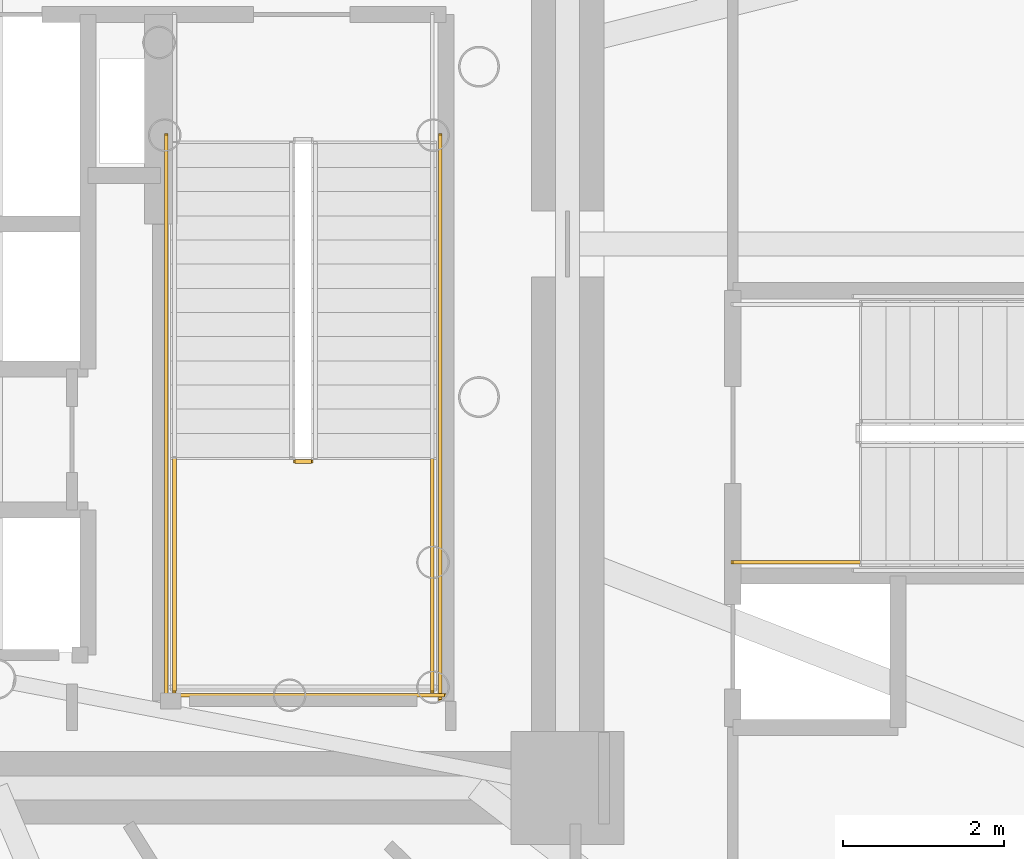
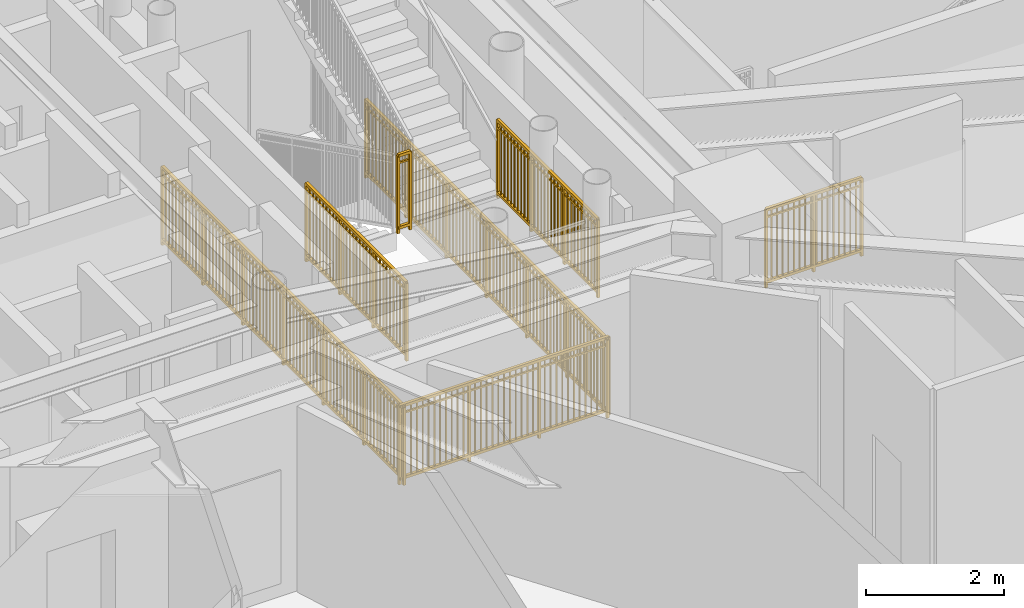
# One storey, part 26 of 31: 7 railings.
"""IFC4 building model written with IfcOpenShell, lengths in metres."""

from ifc_helpers import new_model, si_unit, direction, frame, origin, origin_2d, place, context, subcontext, project, spatial, rectangle, extrude, source, transform, mapped, material, type_object, element, save


model = new_model("IFC4")

# Units and contexts
model_context = context("Model", 3, precision=1e-05, world=origin(), true_north=direction((0.0, 1.0)))
body_context = subcontext(model_context, "Body", "Model", "MODEL_VIEW")
ifc_project = project(units=[si_unit("LENGTHUNIT", "METRE"), si_unit("AREAUNIT", "SQUARE_METRE"), si_unit("VOLUMEUNIT", "CUBIC_METRE"), si_unit("PLANEANGLEUNIT", "RADIAN"), si_unit("MASSUNIT", "GRAM", prefix="KILO")], contexts=[model_context])

# Site, building, storey
site_placement = place(None, origin())
site = spatial("IfcSite", under=ifc_project, at=site_placement, CompositionType="ELEMENT")
building_placement = place(site_placement, origin())
building = spatial("IfcBuilding", under=site, at=building_placement, Name="Linh Dai School and Residence Tower", CompositionType="ELEMENT")
storey_placement = place(building_placement, frame((0.0, 0.0, 6.0)))
storey = spatial("IfcBuildingStorey", under=building, at=storey_placement, Name="L01", CompositionType="ELEMENT", Elevation=6.0)

# Railings
ifc_material = material(Name="Structural Steel S355JR", Category="steel")
railing_type = type_object("IfcRailingType", Name="RL-ST-GUARD-1400", PredefinedType="GUARDRAIL", material=ifc_material)
shared_shape_1 = source(origin(), body_context, "Body", "SweptSolid", [
    extrude(rectangle(XDim=0.048095703125, YDim=0.048095703125, at=origin_2d()), frame((0.0, 0.0, 1.3759765625), z_axis=(1.0, 0.0, 0.0), x_axis=(0.0, 1.0, 0.0)), (0.0, 0.0, 1.0), 0.199951171875),
    extrude(rectangle(XDim=0.048095703125, YDim=0.048095703125, at=origin_2d()), frame((0.0, 0.0, 0.10009765625), z_axis=(1.0, 0.0, 0.0), x_axis=(0.0, 1.0, 0.0)), (0.0, 0.0, 1.0), 0.199951171875),
    extrude(rectangle(XDim=0.030029296875, YDim=0.030029296875, at=origin_2d()), frame((0.0, 0.0, 1.239990234375), z_axis=(1.0, 0.0, 0.0), x_axis=(0.0, 1.0, 0.0)), (0.0, 0.0, 1.0), 0.199951171875),
    extrude(rectangle(XDim=0.0419921875, YDim=0.0419921875, at=origin_2d()), origin(), (0.0, 0.0, 1.0), 1.3759765625),
    extrude(rectangle(XDim=0.0419921875, YDim=0.0419921875, at=origin_2d()), frame((0.199951171875, 0.0, 0.0)), (0.0, 0.0, 1.0), 1.3759765625),
])
railing_1_placement = place(storey_placement, frame((42.570068359375, 24.300048828125, 2.10009765625)))
element("IfcRailing", 1, at=railing_1_placement, inside=storey, type_object=railing_type, Name="L01 ST2 stair guard 2", PredefinedType="GUARDRAIL", context=body_context, shape_type="MappedRepresentation", body=[
    mapped(shared_shape_1, transform((0.0, 0.0, 0.0), x_axis=(1.0, 0.0, 0.0), y_axis=(0.0, 1.0, 0.0), z_axis=(0.0, 0.0, 1.0), scale=1.0)),
])
shared_shape_2 = source(origin(), body_context, "Body", "SweptSolid", [
    extrude(rectangle(XDim=0.048095703125, YDim=0.048095703125, at=origin_2d()), frame((0.0, 0.0, 1.3759765625), z_axis=(0.0, -1.0, 0.0), x_axis=(1.0, 0.0, 0.0)), (0.0, 0.0, 1.0), 7.0),
    extrude(rectangle(XDim=0.048095703125, YDim=0.048095703125, at=origin_2d()), frame((0.0, 0.0, 0.10009765625), z_axis=(0.0, -1.0, 0.0), x_axis=(1.0, 0.0, 0.0)), (0.0, 0.0, 1.0), 7.0),
    extrude(rectangle(XDim=0.030029296875, YDim=0.030029296875, at=origin_2d()), frame((0.0, 0.0, 1.239990234375), z_axis=(0.0, -1.0, 0.0), x_axis=(1.0, 0.0, 0.0)), (0.0, 0.0, 1.0), 7.0),
    extrude(rectangle(XDim=0.02001953125, YDim=0.02001953125, at=origin_2d()), frame((0.0, -0.09716796875, 0.10009765625)), (0.0, 0.0, 1.0), 1.251708984375),
    extrude(rectangle(XDim=0.02001953125, YDim=0.02001953125, at=origin_2d()), frame((0.0, -0.1943359375, 0.10009765625)), (0.0, 0.0, 1.0), 1.251708984375),
    extrude(rectangle(XDim=0.02001953125, YDim=0.02001953125, at=origin_2d()), frame((0.0, -0.291748046875, 0.10009765625)), (0.0, 0.0, 1.0), 1.251708984375),
    extrude(rectangle(XDim=0.02001953125, YDim=0.02001953125, at=origin_2d()), frame((0.0, -0.388916015625, 0.10009765625)), (0.0, 0.0, 1.0), 1.251708984375),
    extrude(rectangle(XDim=0.02001953125, YDim=0.02001953125, at=origin_2d()), frame((0.0, -0.486083984375, 0.10009765625)), (0.0, 0.0, 1.0), 1.251708984375),
    extrude(rectangle(XDim=0.02001953125, YDim=0.02001953125, at=origin_2d()), frame((0.0, -0.583251953125, 0.10009765625)), (0.0, 0.0, 1.0), 1.251708984375),
    extrude(rectangle(XDim=0.02001953125, YDim=0.02001953125, at=origin_2d()), frame((0.0, -0.6806640625, 0.10009765625)), (0.0, 0.0, 1.0), 1.251708984375),
    extrude(rectangle(XDim=0.02001953125, YDim=0.02001953125, at=origin_2d()), frame((0.0, -0.77783203125, 0.10009765625)), (0.0, 0.0, 1.0), 1.251708984375),
    extrude(rectangle(XDim=0.02001953125, YDim=0.02001953125, at=origin_2d()), frame((0.0, -0.875, 0.10009765625)), (0.0, 0.0, 1.0), 1.251708984375),
    extrude(rectangle(XDim=0.02001953125, YDim=0.02001953125, at=origin_2d()), frame((0.0, -0.97216796875, 0.10009765625)), (0.0, 0.0, 1.0), 1.251708984375),
    extrude(rectangle(XDim=0.02001953125, YDim=0.02001953125, at=origin_2d()), frame((0.0, -1.0693359375, 0.10009765625)), (0.0, 0.0, 1.0), 1.251708984375),
    extrude(rectangle(XDim=0.02001953125, YDim=0.02001953125, at=origin_2d()), frame((0.0, -1.263916015625, 0.10009765625)), (0.0, 0.0, 1.0), 1.251708984375),
    extrude(rectangle(XDim=0.02001953125, YDim=0.02001953125, at=origin_2d()), frame((0.0, -1.361083984375, 0.10009765625)), (0.0, 0.0, 1.0), 1.251708984375),
    extrude(rectangle(XDim=0.02001953125, YDim=0.02001953125, at=origin_2d()), frame((0.0, -1.458251953125, 0.10009765625)), (0.0, 0.0, 1.0), 1.251708984375),
    extrude(rectangle(XDim=0.02001953125, YDim=0.02001953125, at=origin_2d()), frame((0.0, -1.5556640625, 0.10009765625)), (0.0, 0.0, 1.0), 1.251708984375),
    extrude(rectangle(XDim=0.02001953125, YDim=0.02001953125, at=origin_2d()), frame((0.0, -1.65283203125, 0.10009765625)), (0.0, 0.0, 1.0), 1.251708984375),
    extrude(rectangle(XDim=0.02001953125, YDim=0.02001953125, at=origin_2d()), frame((0.0, -1.75, 0.10009765625)), (0.0, 0.0, 1.0), 1.251708984375),
    extrude(rectangle(XDim=0.02001953125, YDim=0.02001953125, at=origin_2d()), frame((0.0, -1.84716796875, 0.10009765625)), (0.0, 0.0, 1.0), 1.251708984375),
    extrude(rectangle(XDim=0.02001953125, YDim=0.02001953125, at=origin_2d()), frame((0.0, -1.9443359375, 0.10009765625)), (0.0, 0.0, 1.0), 1.251708984375),
    extrude(rectangle(XDim=0.02001953125, YDim=0.02001953125, at=origin_2d()), frame((0.0, -2.041748046875, 0.10009765625)), (0.0, 0.0, 1.0), 1.251708984375),
    extrude(rectangle(XDim=0.02001953125, YDim=0.02001953125, at=origin_2d()), frame((0.0, -2.138916015625, 0.10009765625)), (0.0, 0.0, 1.0), 1.251708984375),
    extrude(rectangle(XDim=0.02001953125, YDim=0.02001953125, at=origin_2d()), frame((0.0, -2.236083984375, 0.10009765625)), (0.0, 0.0, 1.0), 1.251708984375),
    extrude(rectangle(XDim=0.02001953125, YDim=0.02001953125, at=origin_2d()), frame((0.0, -2.4306640625, 0.10009765625)), (0.0, 0.0, 1.0), 1.251708984375),
    extrude(rectangle(XDim=0.02001953125, YDim=0.02001953125, at=origin_2d()), frame((0.0, -2.52783203125, 0.10009765625)), (0.0, 0.0, 1.0), 1.251708984375),
    extrude(rectangle(XDim=0.02001953125, YDim=0.02001953125, at=origin_2d()), frame((0.0, -2.625, 0.10009765625)), (0.0, 0.0, 1.0), 1.251708984375),
    extrude(rectangle(XDim=0.02001953125, YDim=0.02001953125, at=origin_2d()), frame((0.0, -2.72216796875, 0.10009765625)), (0.0, 0.0, 1.0), 1.251708984375),
    extrude(rectangle(XDim=0.02001953125, YDim=0.02001953125, at=origin_2d()), frame((0.0, -2.8193359375, 0.10009765625)), (0.0, 0.0, 1.0), 1.251708984375),
    extrude(rectangle(XDim=0.02001953125, YDim=0.02001953125, at=origin_2d()), frame((0.0, -2.916748046875, 0.10009765625)), (0.0, 0.0, 1.0), 1.251708984375),
    extrude(rectangle(XDim=0.02001953125, YDim=0.02001953125, at=origin_2d()), frame((0.0, -3.013916015625, 0.10009765625)), (0.0, 0.0, 1.0), 1.251708984375),
    extrude(rectangle(XDim=0.02001953125, YDim=0.02001953125, at=origin_2d()), frame((0.0, -3.111083984375, 0.10009765625)), (0.0, 0.0, 1.0), 1.251708984375),
    extrude(rectangle(XDim=0.02001953125, YDim=0.02001953125, at=origin_2d()), frame((0.0, -3.208251953125, 0.10009765625)), (0.0, 0.0, 1.0), 1.251708984375),
    extrude(rectangle(XDim=0.02001953125, YDim=0.02001953125, at=origin_2d()), frame((0.0, -3.3056640625, 0.10009765625)), (0.0, 0.0, 1.0), 1.251708984375),
    extrude(rectangle(XDim=0.02001953125, YDim=0.02001953125, at=origin_2d()), frame((0.0, -3.40283203125, 0.10009765625)), (0.0, 0.0, 1.0), 1.251708984375),
    extrude(rectangle(XDim=0.02001953125, YDim=0.02001953125, at=origin_2d()), frame((0.0, -3.59716796875, 0.10009765625)), (0.0, 0.0, 1.0), 1.251708984375),
    extrude(rectangle(XDim=0.02001953125, YDim=0.02001953125, at=origin_2d()), frame((0.0, -3.6943359375, 0.10009765625)), (0.0, 0.0, 1.0), 1.251708984375),
    extrude(rectangle(XDim=0.02001953125, YDim=0.02001953125, at=origin_2d()), frame((0.0, -3.791748046875, 0.10009765625)), (0.0, 0.0, 1.0), 1.251708984375),
    extrude(rectangle(XDim=0.02001953125, YDim=0.02001953125, at=origin_2d()), frame((0.0, -3.888916015625, 0.10009765625)), (0.0, 0.0, 1.0), 1.251708984375),
    extrude(rectangle(XDim=0.02001953125, YDim=0.02001953125, at=origin_2d()), frame((0.0, -3.986083984375, 0.10009765625)), (0.0, 0.0, 1.0), 1.251708984375),
    extrude(rectangle(XDim=0.02001953125, YDim=0.02001953125, at=origin_2d()), frame((0.0, -4.083251953125, 0.10009765625)), (0.0, 0.0, 1.0), 1.251708984375),
    extrude(rectangle(XDim=0.02001953125, YDim=0.02001953125, at=origin_2d()), frame((0.0, -4.1806640625, 0.10009765625)), (0.0, 0.0, 1.0), 1.251708984375),
    extrude(rectangle(XDim=0.02001953125, YDim=0.02001953125, at=origin_2d()), frame((0.0, -4.27783203125, 0.10009765625)), (0.0, 0.0, 1.0), 1.251708984375),
    extrude(rectangle(XDim=0.02001953125, YDim=0.02001953125, at=origin_2d()), frame((0.0, -4.375, 0.10009765625)), (0.0, 0.0, 1.0), 1.251708984375),
    extrude(rectangle(XDim=0.02001953125, YDim=0.02001953125, at=origin_2d()), frame((0.0, -4.47216796875, 0.10009765625)), (0.0, 0.0, 1.0), 1.251708984375),
    extrude(rectangle(XDim=0.02001953125, YDim=0.02001953125, at=origin_2d()), frame((0.0, -4.5693359375, 0.10009765625)), (0.0, 0.0, 1.0), 1.251708984375),
    extrude(rectangle(XDim=0.02001953125, YDim=0.02001953125, at=origin_2d()), frame((0.0, -4.763916015625, 0.10009765625)), (0.0, 0.0, 1.0), 1.251708984375),
    extrude(rectangle(XDim=0.02001953125, YDim=0.02001953125, at=origin_2d()), frame((0.0, -4.861083984375, 0.10009765625)), (0.0, 0.0, 1.0), 1.251708984375),
    extrude(rectangle(XDim=0.02001953125, YDim=0.02001953125, at=origin_2d()), frame((0.0, -4.958251953125, 0.10009765625)), (0.0, 0.0, 1.0), 1.251708984375),
    extrude(rectangle(XDim=0.02001953125, YDim=0.02001953125, at=origin_2d()), frame((0.0, -5.0556640625, 0.10009765625)), (0.0, 0.0, 1.0), 1.251708984375),
    extrude(rectangle(XDim=0.02001953125, YDim=0.02001953125, at=origin_2d()), frame((0.0, -5.15283203125, 0.10009765625)), (0.0, 0.0, 1.0), 1.251708984375),
    extrude(rectangle(XDim=0.02001953125, YDim=0.02001953125, at=origin_2d()), frame((0.0, -5.25, 0.10009765625)), (0.0, 0.0, 1.0), 1.251708984375),
    extrude(rectangle(XDim=0.02001953125, YDim=0.02001953125, at=origin_2d()), frame((0.0, -5.34716796875, 0.10009765625)), (0.0, 0.0, 1.0), 1.251708984375),
    extrude(rectangle(XDim=0.02001953125, YDim=0.02001953125, at=origin_2d()), frame((0.0, -5.4443359375, 0.10009765625)), (0.0, 0.0, 1.0), 1.251708984375),
    extrude(rectangle(XDim=0.02001953125, YDim=0.02001953125, at=origin_2d()), frame((0.0, -5.541748046875, 0.10009765625)), (0.0, 0.0, 1.0), 1.251708984375),
    extrude(rectangle(XDim=0.02001953125, YDim=0.02001953125, at=origin_2d()), frame((0.0, -5.638916015625, 0.10009765625)), (0.0, 0.0, 1.0), 1.251708984375),
    extrude(rectangle(XDim=0.02001953125, YDim=0.02001953125, at=origin_2d()), frame((0.0, -5.736083984375, 0.10009765625)), (0.0, 0.0, 1.0), 1.251708984375),
    extrude(rectangle(XDim=0.02001953125, YDim=0.02001953125, at=origin_2d()), frame((0.0, -5.9306640625, 0.10009765625)), (0.0, 0.0, 1.0), 1.251708984375),
    extrude(rectangle(XDim=0.02001953125, YDim=0.02001953125, at=origin_2d()), frame((0.0, -6.02783203125, 0.10009765625)), (0.0, 0.0, 1.0), 1.251708984375),
    extrude(rectangle(XDim=0.02001953125, YDim=0.02001953125, at=origin_2d()), frame((0.0, -6.125, 0.10009765625)), (0.0, 0.0, 1.0), 1.251708984375),
    extrude(rectangle(XDim=0.02001953125, YDim=0.02001953125, at=origin_2d()), frame((0.0, -6.22216796875, 0.10009765625)), (0.0, 0.0, 1.0), 1.251708984375),
    extrude(rectangle(XDim=0.02001953125, YDim=0.02001953125, at=origin_2d()), frame((0.0, -6.3193359375, 0.10009765625)), (0.0, 0.0, 1.0), 1.251708984375),
    extrude(rectangle(XDim=0.02001953125, YDim=0.02001953125, at=origin_2d()), frame((0.0, -6.416748046875, 0.10009765625)), (0.0, 0.0, 1.0), 1.251708984375),
    extrude(rectangle(XDim=0.02001953125, YDim=0.02001953125, at=origin_2d()), frame((0.0, -6.513916015625, 0.10009765625)), (0.0, 0.0, 1.0), 1.251708984375),
    extrude(rectangle(XDim=0.02001953125, YDim=0.02001953125, at=origin_2d()), frame((0.0, -6.611083984375, 0.10009765625)), (0.0, 0.0, 1.0), 1.251708984375),
    extrude(rectangle(XDim=0.02001953125, YDim=0.02001953125, at=origin_2d()), frame((0.0, -6.708251953125, 0.10009765625)), (0.0, 0.0, 1.0), 1.251708984375),
    extrude(rectangle(XDim=0.02001953125, YDim=0.02001953125, at=origin_2d()), frame((0.0, -6.8056640625, 0.10009765625)), (0.0, 0.0, 1.0), 1.251708984375),
    extrude(rectangle(XDim=0.02001953125, YDim=0.02001953125, at=origin_2d()), frame((0.0, -6.90283203125, 0.10009765625)), (0.0, 0.0, 1.0), 1.251708984375),
    extrude(rectangle(XDim=0.0419921875, YDim=0.0419921875, at=origin_2d()), origin(), (0.0, 0.0, 1.0), 1.3759765625),
    extrude(rectangle(XDim=0.0419921875, YDim=0.0419921875, at=origin_2d()), frame((0.0, -1.166748046875, 0.0)), (0.0, 0.0, 1.0), 1.3759765625),
    extrude(rectangle(XDim=0.0419921875, YDim=0.0419921875, at=origin_2d()), frame((0.0, -2.333251953125, 0.0)), (0.0, 0.0, 1.0), 1.3759765625),
    extrude(rectangle(XDim=0.0419921875, YDim=0.0419921875, at=origin_2d()), frame((0.0, -3.5, 0.0)), (0.0, 0.0, 1.0), 1.3759765625),
    extrude(rectangle(XDim=0.0419921875, YDim=0.0419921875, at=origin_2d()), frame((0.0, -4.666748046875, 0.0)), (0.0, 0.0, 1.0), 1.3759765625),
    extrude(rectangle(XDim=0.0419921875, YDim=0.0419921875, at=origin_2d()), frame((0.0, -5.833251953125, 0.0)), (0.0, 0.0, 1.0), 1.3759765625),
    extrude(rectangle(XDim=0.0419921875, YDim=0.0419921875, at=origin_2d()), frame((0.0, -7.0, 0.0)), (0.0, 0.0, 1.0), 1.3759765625),
])
for number, where, name in (
    (2, (40.969970703125, 28.35009765625, 0.0), "L01 ST2 stair guard 10"),
    (3, (44.3701171875, 28.35009765625, 0.0), "L01 ST2 stair guard 11"),
):
    element("IfcRailing", number, at=place(storey_placement, frame(where)), inside=storey, type_object=railing_type, Name=name, PredefinedType="GUARDRAIL", context=body_context, shape_type="MappedRepresentation", body=[
        mapped(shared_shape_2, transform((0.0, 0.0, 0.0), x_axis=(1.0, 0.0, 0.0), y_axis=(0.0, 1.0, 0.0), z_axis=(0.0, 0.0, 1.0), scale=1.0)),
    ])
shared_shape_3 = source(origin(), body_context, "Body", "SweptSolid", [
    extrude(rectangle(XDim=0.048095703125, YDim=0.048095703125, at=origin_2d()), frame((0.0, 0.0, 1.3759765625), z_axis=(1.0, 0.0, 0.0), x_axis=(0.0, 1.0, 0.0)), (0.0, 0.0, 1.0), 3.5),
    extrude(rectangle(XDim=0.048095703125, YDim=0.048095703125, at=origin_2d()), frame((0.0, 0.0, 0.10009765625), z_axis=(1.0, 0.0, 0.0), x_axis=(0.0, 1.0, 0.0)), (0.0, 0.0, 1.0), 3.5),
    extrude(rectangle(XDim=0.030029296875, YDim=0.030029296875, at=origin_2d()), frame((0.0, 0.0, 1.239990234375), z_axis=(1.0, 0.0, 0.0), x_axis=(0.0, 1.0, 0.0)), (0.0, 0.0, 1.0), 3.5),
    extrude(rectangle(XDim=0.02001953125, YDim=0.02001953125, at=origin_2d()), frame((0.09716796875, 0.0, 0.10009765625)), (0.0, 0.0, 1.0), 1.251708984375),
    extrude(rectangle(XDim=0.02001953125, YDim=0.02001953125, at=origin_2d()), frame((0.1943359375, 0.0, 0.10009765625)), (0.0, 0.0, 1.0), 1.251708984375),
    extrude(rectangle(XDim=0.02001953125, YDim=0.02001953125, at=origin_2d()), frame((0.291748046875, 0.0, 0.10009765625)), (0.0, 0.0, 1.0), 1.251708984375),
    extrude(rectangle(XDim=0.02001953125, YDim=0.02001953125, at=origin_2d()), frame((0.388916015625, 0.0, 0.10009765625)), (0.0, 0.0, 1.0), 1.251708984375),
    extrude(rectangle(XDim=0.02001953125, YDim=0.02001953125, at=origin_2d()), frame((0.486083984375, 0.0, 0.10009765625)), (0.0, 0.0, 1.0), 1.251708984375),
    extrude(rectangle(XDim=0.02001953125, YDim=0.02001953125, at=origin_2d()), frame((0.583251953125, 0.0, 0.10009765625)), (0.0, 0.0, 1.0), 1.251708984375),
    extrude(rectangle(XDim=0.02001953125, YDim=0.02001953125, at=origin_2d()), frame((0.6806640625, 0.0, 0.10009765625)), (0.0, 0.0, 1.0), 1.251708984375),
    extrude(rectangle(XDim=0.02001953125, YDim=0.02001953125, at=origin_2d()), frame((0.77783203125, 0.0, 0.10009765625)), (0.0, 0.0, 1.0), 1.251708984375),
    extrude(rectangle(XDim=0.02001953125, YDim=0.02001953125, at=origin_2d()), frame((0.875, 0.0, 0.10009765625)), (0.0, 0.0, 1.0), 1.251708984375),
    extrude(rectangle(XDim=0.02001953125, YDim=0.02001953125, at=origin_2d()), frame((0.97216796875, 0.0, 0.10009765625)), (0.0, 0.0, 1.0), 1.251708984375),
    extrude(rectangle(XDim=0.02001953125, YDim=0.02001953125, at=origin_2d()), frame((1.0693359375, 0.0, 0.10009765625)), (0.0, 0.0, 1.0), 1.251708984375),
    extrude(rectangle(XDim=0.02001953125, YDim=0.02001953125, at=origin_2d()), frame((1.263916015625, 0.0, 0.10009765625)), (0.0, 0.0, 1.0), 1.251708984375),
    extrude(rectangle(XDim=0.02001953125, YDim=0.02001953125, at=origin_2d()), frame((1.361083984375, 0.0, 0.10009765625)), (0.0, 0.0, 1.0), 1.251708984375),
    extrude(rectangle(XDim=0.02001953125, YDim=0.02001953125, at=origin_2d()), frame((1.458251953125, 0.0, 0.10009765625)), (0.0, 0.0, 1.0), 1.251708984375),
    extrude(rectangle(XDim=0.02001953125, YDim=0.02001953125, at=origin_2d()), frame((1.5556640625, 0.0, 0.10009765625)), (0.0, 0.0, 1.0), 1.251708984375),
    extrude(rectangle(XDim=0.02001953125, YDim=0.02001953125, at=origin_2d()), frame((1.65283203125, 0.0, 0.10009765625)), (0.0, 0.0, 1.0), 1.251708984375),
    extrude(rectangle(XDim=0.02001953125, YDim=0.02001953125, at=origin_2d()), frame((1.75, 0.0, 0.10009765625)), (0.0, 0.0, 1.0), 1.251708984375),
    extrude(rectangle(XDim=0.02001953125, YDim=0.02001953125, at=origin_2d()), frame((1.84716796875, 0.0, 0.10009765625)), (0.0, 0.0, 1.0), 1.251708984375),
    extrude(rectangle(XDim=0.02001953125, YDim=0.02001953125, at=origin_2d()), frame((1.9443359375, 0.0, 0.10009765625)), (0.0, 0.0, 1.0), 1.251708984375),
    extrude(rectangle(XDim=0.02001953125, YDim=0.02001953125, at=origin_2d()), frame((2.041748046875, 0.0, 0.10009765625)), (0.0, 0.0, 1.0), 1.251708984375),
    extrude(rectangle(XDim=0.02001953125, YDim=0.02001953125, at=origin_2d()), frame((2.138916015625, 0.0, 0.10009765625)), (0.0, 0.0, 1.0), 1.251708984375),
    extrude(rectangle(XDim=0.02001953125, YDim=0.02001953125, at=origin_2d()), frame((2.236083984375, 0.0, 0.10009765625)), (0.0, 0.0, 1.0), 1.251708984375),
    extrude(rectangle(XDim=0.02001953125, YDim=0.02001953125, at=origin_2d()), frame((2.4306640625, 0.0, 0.10009765625)), (0.0, 0.0, 1.0), 1.251708984375),
    extrude(rectangle(XDim=0.02001953125, YDim=0.02001953125, at=origin_2d()), frame((2.52783203125, 0.0, 0.10009765625)), (0.0, 0.0, 1.0), 1.251708984375),
    extrude(rectangle(XDim=0.02001953125, YDim=0.02001953125, at=origin_2d()), frame((2.625, 0.0, 0.10009765625)), (0.0, 0.0, 1.0), 1.251708984375),
    extrude(rectangle(XDim=0.02001953125, YDim=0.02001953125, at=origin_2d()), frame((2.72216796875, 0.0, 0.10009765625)), (0.0, 0.0, 1.0), 1.251708984375),
    extrude(rectangle(XDim=0.02001953125, YDim=0.02001953125, at=origin_2d()), frame((2.8193359375, 0.0, 0.10009765625)), (0.0, 0.0, 1.0), 1.251708984375),
    extrude(rectangle(XDim=0.02001953125, YDim=0.02001953125, at=origin_2d()), frame((2.916748046875, 0.0, 0.10009765625)), (0.0, 0.0, 1.0), 1.251708984375),
    extrude(rectangle(XDim=0.02001953125, YDim=0.02001953125, at=origin_2d()), frame((3.013916015625, 0.0, 0.10009765625)), (0.0, 0.0, 1.0), 1.251708984375),
    extrude(rectangle(XDim=0.02001953125, YDim=0.02001953125, at=origin_2d()), frame((3.111083984375, 0.0, 0.10009765625)), (0.0, 0.0, 1.0), 1.251708984375),
    extrude(rectangle(XDim=0.02001953125, YDim=0.02001953125, at=origin_2d()), frame((3.208251953125, 0.0, 0.10009765625)), (0.0, 0.0, 1.0), 1.251708984375),
    extrude(rectangle(XDim=0.02001953125, YDim=0.02001953125, at=origin_2d()), frame((3.3056640625, 0.0, 0.10009765625)), (0.0, 0.0, 1.0), 1.251708984375),
    extrude(rectangle(XDim=0.02001953125, YDim=0.02001953125, at=origin_2d()), frame((3.40283203125, 0.0, 0.10009765625)), (0.0, 0.0, 1.0), 1.251708984375),
    extrude(rectangle(XDim=0.0419921875, YDim=0.0419921875, at=origin_2d()), origin(), (0.0, 0.0, 1.0), 1.3759765625),
    extrude(rectangle(XDim=0.0419921875, YDim=0.0419921875, at=origin_2d()), frame((1.166748046875, 0.0, 0.0)), (0.0, 0.0, 1.0), 1.3759765625),
    extrude(rectangle(XDim=0.0419921875, YDim=0.0419921875, at=origin_2d()), frame((2.333251953125, 0.0, 0.0)), (0.0, 0.0, 1.0), 1.3759765625),
    extrude(rectangle(XDim=0.0419921875, YDim=0.0419921875, at=origin_2d()), frame((3.5, 0.0, 0.0)), (0.0, 0.0, 1.0), 1.3759765625),
])
railing_2_placement = place(storey_placement, frame((40.919921875, 21.39990234375, 0.0)))
element("IfcRailing", 4, at=railing_2_placement, inside=storey, type_object=railing_type, Name="L01 ST2 stair guard 12", PredefinedType="GUARDRAIL", context=body_context, shape_type="MappedRepresentation", body=[
    mapped(shared_shape_3, transform((0.0, 0.0, 0.0), x_axis=(1.0, 0.0, 0.0), y_axis=(0.0, 1.0, 0.0), z_axis=(0.0, 0.0, 1.0), scale=1.0)),
])
shared_shape_4 = source(origin(), body_context, "Body", "SweptSolid", [
    extrude(rectangle(XDim=0.048095703125, YDim=0.048095703125, at=origin_2d()), frame((0.0, 0.0, 1.3759765625), z_axis=(0.0, -1.0, 0.0), x_axis=(1.0, 0.0, 0.0)), (0.0, 0.0, 1.0), 2.900146484375),
    extrude(rectangle(XDim=0.048095703125, YDim=0.048095703125, at=origin_2d()), frame((0.0, 0.0, 0.10009765625), z_axis=(0.0, -1.0, 0.0), x_axis=(1.0, 0.0, 0.0)), (0.0, 0.0, 1.0), 2.900146484375),
    extrude(rectangle(XDim=0.030029296875, YDim=0.030029296875, at=origin_2d()), frame((0.0, 0.0, 1.239990234375), z_axis=(0.0, -1.0, 0.0), x_axis=(1.0, 0.0, 0.0)), (0.0, 0.0, 1.0), 2.900146484375),
    extrude(rectangle(XDim=0.02001953125, YDim=0.02001953125, at=origin_2d()), frame((0.0, -0.0966796875, 0.10009765625)), (0.0, 0.0, 1.0), 1.251708984375),
    extrude(rectangle(XDim=0.02001953125, YDim=0.02001953125, at=origin_2d()), frame((0.0, -0.193359375, 0.10009765625)), (0.0, 0.0, 1.0), 1.251708984375),
    extrude(rectangle(XDim=0.02001953125, YDim=0.02001953125, at=origin_2d()), frame((0.0, -0.2900390625, 0.10009765625)), (0.0, 0.0, 1.0), 1.251708984375),
    extrude(rectangle(XDim=0.02001953125, YDim=0.02001953125, at=origin_2d()), frame((0.0, -0.38671875, 0.10009765625)), (0.0, 0.0, 1.0), 1.251708984375),
    extrude(rectangle(XDim=0.02001953125, YDim=0.02001953125, at=origin_2d()), frame((0.0, -0.4833984375, 0.10009765625)), (0.0, 0.0, 1.0), 1.251708984375),
    extrude(rectangle(XDim=0.02001953125, YDim=0.02001953125, at=origin_2d()), frame((0.0, -0.580078125, 0.10009765625)), (0.0, 0.0, 1.0), 1.251708984375),
    extrude(rectangle(XDim=0.02001953125, YDim=0.02001953125, at=origin_2d()), frame((0.0, -0.6767578125, 0.10009765625)), (0.0, 0.0, 1.0), 1.251708984375),
    extrude(rectangle(XDim=0.02001953125, YDim=0.02001953125, at=origin_2d()), frame((0.0, -0.7734375, 0.10009765625)), (0.0, 0.0, 1.0), 1.251708984375),
    extrude(rectangle(XDim=0.02001953125, YDim=0.02001953125, at=origin_2d()), frame((0.0, -0.8701171875, 0.10009765625)), (0.0, 0.0, 1.0), 1.251708984375),
    extrude(rectangle(XDim=0.02001953125, YDim=0.02001953125, at=origin_2d()), frame((0.0, -1.0634765625, 0.10009765625)), (0.0, 0.0, 1.0), 1.251708984375),
    extrude(rectangle(XDim=0.02001953125, YDim=0.02001953125, at=origin_2d()), frame((0.0, -1.16015625, 0.10009765625)), (0.0, 0.0, 1.0), 1.251708984375),
    extrude(rectangle(XDim=0.02001953125, YDim=0.02001953125, at=origin_2d()), frame((0.0, -1.2568359375, 0.10009765625)), (0.0, 0.0, 1.0), 1.251708984375),
    extrude(rectangle(XDim=0.02001953125, YDim=0.02001953125, at=origin_2d()), frame((0.0, -1.353515625, 0.10009765625)), (0.0, 0.0, 1.0), 1.251708984375),
    extrude(rectangle(XDim=0.02001953125, YDim=0.02001953125, at=origin_2d()), frame((0.0, -1.4501953125, 0.10009765625)), (0.0, 0.0, 1.0), 1.251708984375),
    extrude(rectangle(XDim=0.02001953125, YDim=0.02001953125, at=origin_2d()), frame((0.0, -1.546630859375, 0.10009765625)), (0.0, 0.0, 1.0), 1.251708984375),
    extrude(rectangle(XDim=0.02001953125, YDim=0.02001953125, at=origin_2d()), frame((0.0, -1.643310546875, 0.10009765625)), (0.0, 0.0, 1.0), 1.251708984375),
    extrude(rectangle(XDim=0.02001953125, YDim=0.02001953125, at=origin_2d()), frame((0.0, -1.739990234375, 0.10009765625)), (0.0, 0.0, 1.0), 1.251708984375),
    extrude(rectangle(XDim=0.02001953125, YDim=0.02001953125, at=origin_2d()), frame((0.0, -1.836669921875, 0.10009765625)), (0.0, 0.0, 1.0), 1.251708984375),
    extrude(rectangle(XDim=0.02001953125, YDim=0.02001953125, at=origin_2d()), frame((0.0, -2.030029296875, 0.10009765625)), (0.0, 0.0, 1.0), 1.251708984375),
    extrude(rectangle(XDim=0.02001953125, YDim=0.02001953125, at=origin_2d()), frame((0.0, -2.126708984375, 0.10009765625)), (0.0, 0.0, 1.0), 1.251708984375),
    extrude(rectangle(XDim=0.02001953125, YDim=0.02001953125, at=origin_2d()), frame((0.0, -2.223388671875, 0.10009765625)), (0.0, 0.0, 1.0), 1.251708984375),
    extrude(rectangle(XDim=0.02001953125, YDim=0.02001953125, at=origin_2d()), frame((0.0, -2.320068359375, 0.10009765625)), (0.0, 0.0, 1.0), 1.251708984375),
    extrude(rectangle(XDim=0.02001953125, YDim=0.02001953125, at=origin_2d()), frame((0.0, -2.416748046875, 0.10009765625)), (0.0, 0.0, 1.0), 1.251708984375),
    extrude(rectangle(XDim=0.02001953125, YDim=0.02001953125, at=origin_2d()), frame((0.0, -2.513427734375, 0.10009765625)), (0.0, 0.0, 1.0), 1.251708984375),
    extrude(rectangle(XDim=0.02001953125, YDim=0.02001953125, at=origin_2d()), frame((0.0, -2.610107421875, 0.10009765625)), (0.0, 0.0, 1.0), 1.251708984375),
    extrude(rectangle(XDim=0.02001953125, YDim=0.02001953125, at=origin_2d()), frame((0.0, -2.706787109375, 0.10009765625)), (0.0, 0.0, 1.0), 1.251708984375),
    extrude(rectangle(XDim=0.02001953125, YDim=0.02001953125, at=origin_2d()), frame((0.0, -2.803466796875, 0.10009765625)), (0.0, 0.0, 1.0), 1.251708984375),
    extrude(rectangle(XDim=0.0419921875, YDim=0.0419921875, at=origin_2d()), origin(), (0.0, 0.0, 1.0), 1.3759765625),
    extrude(rectangle(XDim=0.0419921875, YDim=0.0419921875, at=origin_2d()), frame((0.0, -0.966796875, 0.0)), (0.0, 0.0, 1.0), 1.3759765625),
    extrude(rectangle(XDim=0.0419921875, YDim=0.0419921875, at=origin_2d()), frame((0.0, -1.933349609375, 0.0)), (0.0, 0.0, 1.0), 1.3759765625),
    extrude(rectangle(XDim=0.0419921875, YDim=0.0419921875, at=origin_2d()), frame((0.0, -2.900146484375, 0.0)), (0.0, 0.0, 1.0), 1.3759765625),
])
for number, where, name in (
    (5, (41.070068359375, 24.35009765625, 2.10009765625), "L01 ST2 stair guard 3"),
    (6, (44.27001953125, 24.35009765625, 2.10009765625), "L01 ST2 stair guard 4"),
):
    element("IfcRailing", number, at=place(storey_placement, frame(where)), inside=storey, type_object=railing_type, Name=name, PredefinedType="GUARDRAIL", context=body_context, shape_type="MappedRepresentation", body=[
        mapped(shared_shape_4, transform((0.0, 0.0, 0.0), x_axis=(1.0, 0.0, 0.0), y_axis=(0.0, 1.0, 0.0), z_axis=(0.0, 0.0, 1.0), scale=1.0)),
    ])
shared_shape_5 = source(origin(), body_context, "Body", "SweptSolid", [
    extrude(rectangle(XDim=0.048095703125, YDim=0.048095703125, at=origin_2d()), frame((0.0, 0.0, 1.3759765625), z_axis=(1.0, 0.0, 0.0), x_axis=(0.0, 1.0, 0.0)), (0.0, 0.0, 1.0), 1.60009765625),
    extrude(rectangle(XDim=0.048095703125, YDim=0.048095703125, at=origin_2d()), frame((0.0, 0.0, 0.10009765625), z_axis=(1.0, 0.0, 0.0), x_axis=(0.0, 1.0, 0.0)), (0.0, 0.0, 1.0), 1.60009765625),
    extrude(rectangle(XDim=0.030029296875, YDim=0.030029296875, at=origin_2d()), frame((0.0, 0.0, 1.239990234375), z_axis=(1.0, 0.0, 0.0), x_axis=(0.0, 1.0, 0.0)), (0.0, 0.0, 1.0), 1.60009765625),
    extrude(rectangle(XDim=0.02001953125, YDim=0.02001953125, at=origin_2d()), frame((0.09423828125, 0.0, 0.10009765625)), (0.0, 0.0, 1.0), 1.251708984375),
    extrude(rectangle(XDim=0.02001953125, YDim=0.02001953125, at=origin_2d()), frame((0.188232421875, 0.0, 0.10009765625)), (0.0, 0.0, 1.0), 1.251708984375),
    extrude(rectangle(XDim=0.02001953125, YDim=0.02001953125, at=origin_2d()), frame((0.282470703125, 0.0, 0.10009765625)), (0.0, 0.0, 1.0), 1.251708984375),
    extrude(rectangle(XDim=0.02001953125, YDim=0.02001953125, at=origin_2d()), frame((0.37646484375, 0.0, 0.10009765625)), (0.0, 0.0, 1.0), 1.251708984375),
    extrude(rectangle(XDim=0.02001953125, YDim=0.02001953125, at=origin_2d()), frame((0.470703125, 0.0, 0.10009765625)), (0.0, 0.0, 1.0), 1.251708984375),
    extrude(rectangle(XDim=0.02001953125, YDim=0.02001953125, at=origin_2d()), frame((0.564697265625, 0.0, 0.10009765625)), (0.0, 0.0, 1.0), 1.251708984375),
    extrude(rectangle(XDim=0.02001953125, YDim=0.02001953125, at=origin_2d()), frame((0.658935546875, 0.0, 0.10009765625)), (0.0, 0.0, 1.0), 1.251708984375),
    extrude(rectangle(XDim=0.02001953125, YDim=0.02001953125, at=origin_2d()), frame((0.7529296875, 0.0, 0.10009765625)), (0.0, 0.0, 1.0), 1.251708984375),
    extrude(rectangle(XDim=0.02001953125, YDim=0.02001953125, at=origin_2d()), frame((0.84716796875, 0.0, 0.10009765625)), (0.0, 0.0, 1.0), 1.251708984375),
    extrude(rectangle(XDim=0.02001953125, YDim=0.02001953125, at=origin_2d()), frame((0.941162109375, 0.0, 0.10009765625)), (0.0, 0.0, 1.0), 1.251708984375),
    extrude(rectangle(XDim=0.02001953125, YDim=0.02001953125, at=origin_2d()), frame((1.035400390625, 0.0, 0.10009765625)), (0.0, 0.0, 1.0), 1.251708984375),
    extrude(rectangle(XDim=0.02001953125, YDim=0.02001953125, at=origin_2d()), frame((1.12939453125, 0.0, 0.10009765625)), (0.0, 0.0, 1.0), 1.251708984375),
    extrude(rectangle(XDim=0.02001953125, YDim=0.02001953125, at=origin_2d()), frame((1.2236328125, 0.0, 0.10009765625)), (0.0, 0.0, 1.0), 1.251708984375),
    extrude(rectangle(XDim=0.02001953125, YDim=0.02001953125, at=origin_2d()), frame((1.317626953125, 0.0, 0.10009765625)), (0.0, 0.0, 1.0), 1.251708984375),
    extrude(rectangle(XDim=0.02001953125, YDim=0.02001953125, at=origin_2d()), frame((1.411865234375, 0.0, 0.10009765625)), (0.0, 0.0, 1.0), 1.251708984375),
    extrude(rectangle(XDim=0.02001953125, YDim=0.02001953125, at=origin_2d()), frame((1.505859375, 0.0, 0.10009765625)), (0.0, 0.0, 1.0), 1.251708984375),
    extrude(rectangle(XDim=0.0419921875, YDim=0.0419921875, at=origin_2d()), origin(), (0.0, 0.0, 1.0), 1.3759765625),
    extrude(rectangle(XDim=0.0419921875, YDim=0.0419921875, at=origin_2d()), frame((0.800048828125, 0.0, 0.0)), (0.0, 0.0, 1.0), 1.3759765625),
    extrude(rectangle(XDim=0.0419921875, YDim=0.0419921875, at=origin_2d()), frame((1.60009765625, 0.0, 0.0)), (0.0, 0.0, 1.0), 1.3759765625),
])
railing_3_placement = place(storey_placement, frame((48.0, 23.050048828125, 0.0)))
element("IfcRailing", 7, at=railing_3_placement, inside=storey, type_object=railing_type, Name="L01 STS2 stair guard 8", PredefinedType="GUARDRAIL", context=body_context, shape_type="MappedRepresentation", body=[
    mapped(shared_shape_5, transform((0.0, 0.0, 0.0), x_axis=(1.0, 0.0, 0.0), y_axis=(0.0, 1.0, 0.0), z_axis=(0.0, 0.0, 1.0), scale=1.0)),
])

save(model, "model.ifc")
